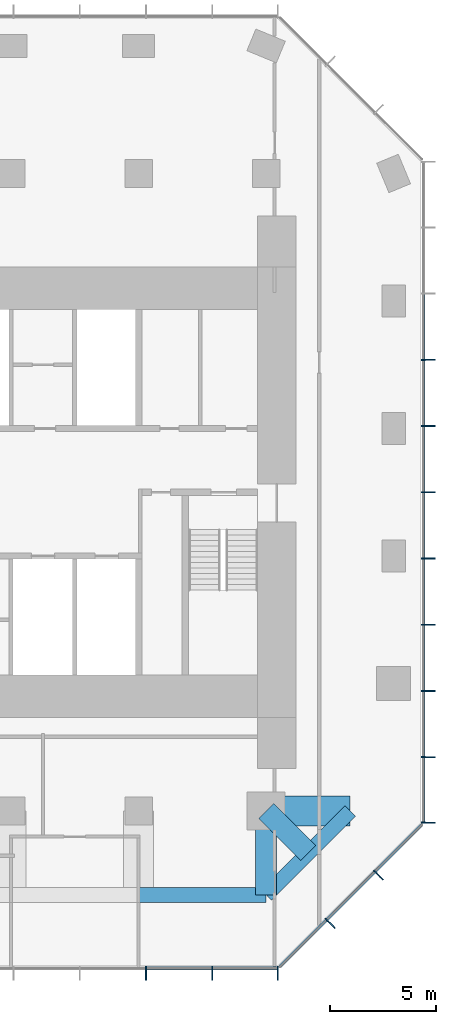
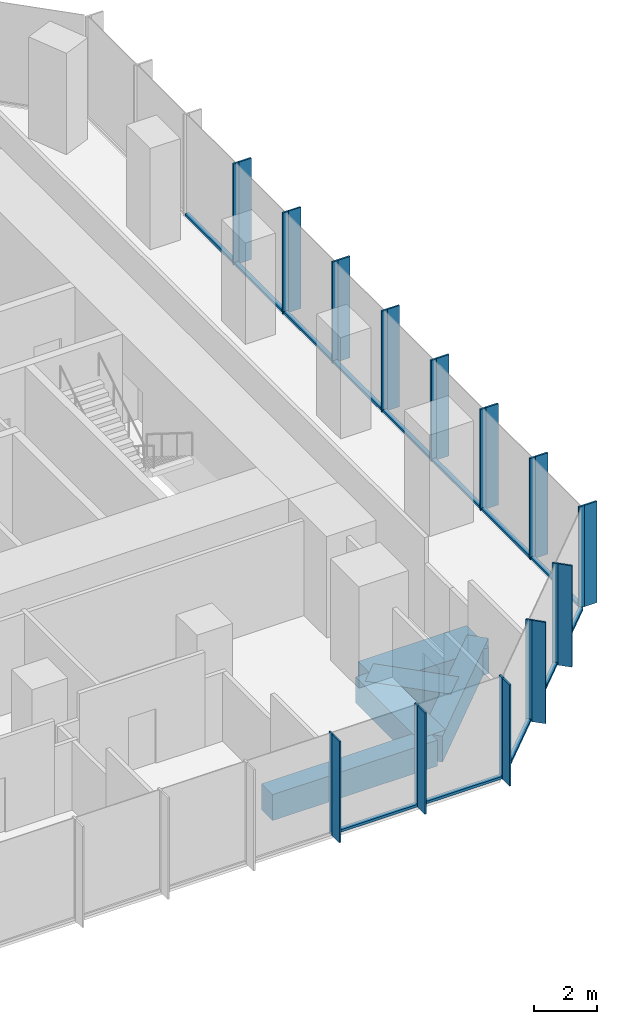
# One storey, part 4 of 11: 39 members, 5 beams, 3 elements without a shape of their own.
"""IFC4 building model written with IfcOpenShell, lengths in metres."""

import ifcopenshell
import ifcopenshell.guid

model = None  # the IFC model being written
_history = None  # IfcOwnerHistory: only IFC2X3 demands one
_inside = {}  # id of a spatial element -> (the spatial element, [elements in it])
_under = {}  # id of a project, library or spatial element -> (it, [spatial elements below it])
_declared = {}  # id of a project -> (the project, [libraries it declares])
_typed = {}  # id of a type object -> (the type object, [elements of that type])
_made_of = {}  # id of a material, layer set ... -> (it, [elements and type objects made of it])


def new_model(schema):
    """Start an empty IFC model of exactly this schema.

    Asked for "IFC4X3", IfcOpenShell would pick the latest addendum, in which some entities
    have other attributes; the version numbers below select the first issue.
    IFC2X3 requires an IfcOwnerHistory on every rooted entity: one is made here for all.
    """
    global model, _history
    if schema == "IFC4X3":
        model = ifcopenshell.file(schema_version=(4, 3, 0, 0))
    else:
        model = ifcopenshell.file(schema=schema)
    _inside.clear()
    _under.clear()
    _declared.clear()
    _typed.clear()
    _made_of.clear()
    _history = None
    if model.schema == "IFC2X3":
        org = make("IfcOrganization", Name="unknown")
        user = make(
            "IfcPersonAndOrganization",
            ThePerson=make("IfcPerson", FamilyName="unknown"),
            TheOrganization=org,
        )
        app = make(
            "IfcApplication",
            ApplicationDeveloper=org,
            Version="unknown",
            ApplicationFullName="unknown",
            ApplicationIdentifier="unknown",
        )
        _history = make(
            "IfcOwnerHistory",
            OwningUser=user,
            OwningApplication=app,
            ChangeAction="ADDED",
            CreationDate=0,
        )
    return model


def make(cls, **values):
    """One entity of the class cls with the attributes given. An attribute that is None is left unset."""
    return model.create_entity(
        cls, **{name: value for name, value in values.items() if value is not None}
    )


def rooted(cls, **values):
    """An entity with a GlobalId (a new one), such as an element, a storey or a relation."""
    return make(cls, GlobalId=ifcopenshell.guid.new(), OwnerHistory=_history, **values)


def si_unit(unit_type, name, prefix=None):
    """IfcSIUnit, for example si_unit("LENGTHUNIT", "METRE", prefix="MILLI")."""
    return make("IfcSIUnit", UnitType=unit_type, Prefix=prefix, Name=name)


def assignment(units):
    """IfcUnitAssignment: the units of a project."""
    return None if units is None else make("IfcUnitAssignment", Units=units)


def point(xyz):
    """IfcCartesianPoint."""
    return None if xyz is None else make("IfcCartesianPoint", Coordinates=xyz)


def direction(xyz):
    """IfcDirection."""
    return None if xyz is None else make("IfcDirection", DirectionRatios=xyz)


def frame(location, z_axis=None, x_axis=None):
    """IfcAxis2Placement3D, a coordinate frame: its origin and axes. An axis left out is left unset."""
    return make(
        "IfcAxis2Placement3D",
        Location=point(location),
        Axis=direction(z_axis),
        RefDirection=direction(x_axis),
    )


def frame_2d(location, x_axis=None):
    """IfcAxis2Placement2D, a coordinate frame in the plane: its origin and x axis."""
    return make(
        "IfcAxis2Placement2D", Location=point(location), RefDirection=direction(x_axis)
    )


def origin():
    """The frame at (0, 0, 0) with its axes left unset."""
    return frame((0.0, 0.0, 0.0))


def origin_2d():
    """The frame at (0, 0) in the plane with its x axis left unset."""
    return frame_2d((0.0, 0.0))


def place(relative_to, where):
    """IfcLocalPlacement: puts the frame where relative to a parent placement (None: the world)."""
    return make(
        "IfcLocalPlacement", PlacementRelTo=relative_to, RelativePlacement=where
    )


def context(
    kind, dimensions, precision=None, world=None, true_north=None, identifier=None
):
    """IfcGeometricRepresentationContext, for example the 3D "Model" context."""
    return make(
        "IfcGeometricRepresentationContext",
        ContextIdentifier=identifier,
        ContextType=kind,
        CoordinateSpaceDimension=dimensions,
        Precision=precision,
        WorldCoordinateSystem=world,
        TrueNorth=true_north,
    )


def subcontext(parent, identifier, kind, view, scale=None):
    """IfcGeometricRepresentationSubContext, for example "Body" below "Model"."""
    return make(
        "IfcGeometricRepresentationSubContext",
        ContextIdentifier=identifier,
        ContextType=kind,
        ParentContext=parent,
        TargetScale=scale,
        TargetView=view,
    )


def project(units=None, contexts=None):
    """IfcProject with its units and contexts."""
    return rooted(
        "IfcProject",
        Name="project",
        RepresentationContexts=contexts,
        UnitsInContext=assignment(units),
    )


def spatial(cls, under=None, at=None, **own):
    """A site, building, storey or space (cls), placed at a placement, below another one or the project."""
    s = rooted(cls, ObjectPlacement=at, **own)
    if under is not None:
        _under.setdefault(under.id(), (under, []))[1].append(s)
    return s


def profile(cls, at=None, kind="AREA", **sizes):
    """A parametric profile (cls). Its sizes go by their IFC names, for example OverallWidth=200.0."""
    return make(cls, ProfileType=kind, Position=at, **sizes)


def rectangle(**sizes):
    """IfcRectangleProfileDef."""
    return profile("IfcRectangleProfileDef", **sizes)


def extrude(swept, where, along, depth):
    """IfcExtrudedAreaSolid: the profile swept, set in the frame where, extruded along a direction by depth."""
    return make(
        "IfcExtrudedAreaSolid",
        SweptArea=swept,
        Position=where,
        ExtrudedDirection=direction(along),
        Depth=depth,
    )


def shape(context_of_items, identifier, shape_type, items):
    """IfcShapeRepresentation: the items that make up one representation, for example the "Body"."""
    return make(
        "IfcShapeRepresentation",
        ContextOfItems=context_of_items,
        RepresentationIdentifier=identifier,
        RepresentationType=shape_type,
        Items=items,
    )


def material(Name=None, Category=None):
    """IfcMaterial."""
    return make("IfcMaterial", Name=Name, Category=Category)


def layer(
    of_material, thickness, ventilated=None, Name=None, Category=None, Priority=None
):
    """IfcMaterialLayer: one layer of a wall or slab, of a material (None: an air gap)."""
    return make(
        "IfcMaterialLayer",
        Material=of_material,
        LayerThickness=thickness,
        IsVentilated=ventilated,
        Name=Name,
        Category=Category,
        Priority=Priority,
    )


def layer_set(layers, Name=None):
    """IfcMaterialLayerSet."""
    return make("IfcMaterialLayerSet", MaterialLayers=layers, LayerSetName=Name)


def material_profile(
    of_material, cross_section, Name=None, Category=None, Priority=None
):
    """IfcMaterialProfile: a cross section and its material."""
    return make(
        "IfcMaterialProfile",
        Name=Name,
        Material=of_material,
        Profile=cross_section,
        Priority=Priority,
        Category=Category,
    )


def profile_set(profiles, Name=None, composite=None):
    """IfcMaterialProfileSet."""
    return make(
        "IfcMaterialProfileSet",
        Name=Name,
        MaterialProfiles=profiles,
        CompositeProfile=composite,
    )


def made_of(thing, what):
    """Note that an element or type object is made of a material, layer set ...; save() writes the relation."""
    if what is not None:
        _made_of.setdefault(what.id(), (what, []))[1].append(thing)
    return thing


def type_object(cls, material=None, **own):
    """A type object (cls), such as IfcWallType, which elements share."""
    return made_of(rooted(cls, **own), material)


def element(
    cls,
    number,
    at=None,
    inside=None,
    cuts=None,
    type_object=None,
    material=None,
    context=None,
    identifier="Body",
    shape_type=None,
    held_by="IfcProductDefinitionShape",
    body=None,
    shapes=None,
    **own,
):
    """One element of the class cls, such as IfcWall. Its Tag is "e" and its number.

    at: its placement. inside: the storey or other place that contains it. cuts: it is an
    opening in that element (IfcRelVoidsElement). A single representation is given by context,
    identifier, shape_type and body (its items); several are given by shapes. held_by: the class
    of the entity that holds the representations. save() writes the other relations.
    """
    e = rooted(cls, Tag="e%d" % number, ObjectPlacement=at, **own)
    if body is not None:
        shapes = [shape(context, identifier, shape_type, body)]
    if shapes is not None:
        e.Representation = make(held_by, Representations=shapes)
    if inside is not None:
        _inside.setdefault(inside.id(), (inside, []))[1].append(e)
    if cuts is not None:
        rooted(
            "IfcRelVoidsElement", RelatingBuildingElement=cuts, RelatedOpeningElement=e
        )
    if type_object is not None:
        _typed.setdefault(type_object.id(), (type_object, []))[1].append(e)
    return made_of(e, material)


def aggregate(whole, parts):
    """IfcRelAggregates: a whole, such as a stair, and the parts it consists of."""
    return rooted("IfcRelAggregates", RelatingObject=whole, RelatedObjects=parts)


def save(model, path):
    """Write the relations noted so far, then the file.

    IfcRelAggregates (storeys below a building ...), IfcRelContainedInSpatialStructure (elements
    in a storey), IfcRelDefinesByType, IfcRelAssociatesMaterial and IfcRelDeclares: one each for
    every whole, place, type object, material and project.
    """
    for whole, parts in _under.values():
        aggregate(whole, parts)
    for where, things in _inside.values():
        rooted(
            "IfcRelContainedInSpatialStructure",
            RelatedElements=things,
            RelatingStructure=where,
        )
    for kind, things in _typed.values():
        rooted("IfcRelDefinesByType", RelatedObjects=things, RelatingType=kind)
    for what, things in _made_of.values():
        rooted("IfcRelAssociatesMaterial", RelatedObjects=things, RelatingMaterial=what)
    for by, libraries in _declared.values():
        rooted("IfcRelDeclares", RelatingContext=by, RelatedDefinitions=libraries)
    model.write(path)


model = new_model("IFC4")

# Units and contexts
model_context = context("Model", 3, precision=1e-05, world=origin(), true_north=direction((0.0, 1.0)))
body_context = subcontext(model_context, "Body", "Model", "MODEL_VIEW")
ifc_project = project(units=[si_unit("LENGTHUNIT", "METRE"), si_unit("AREAUNIT", "SQUARE_METRE"), si_unit("VOLUMEUNIT", "CUBIC_METRE"), si_unit("PLANEANGLEUNIT", "RADIAN"), si_unit("MASSUNIT", "GRAM", prefix="KILO")], contexts=[model_context])

# Site, building, storey
site_placement = place(None, origin())
site = spatial("IfcSite", under=ifc_project, at=site_placement, CompositionType="ELEMENT")
building_placement = place(site_placement, origin())
building = spatial("IfcBuilding", under=site, at=building_placement, Name="Highveld Stack Headquarters", CompositionType="ELEMENT")
storey_placement = place(building_placement, frame((0.0, 0.0, 227.89990234375)))
storey = spatial("IfcBuildingStorey", under=building, at=storey_placement, Name="L56", CompositionType="ELEMENT", Elevation=227.89990234375)

# Beams
ifc_material_1 = material(Name="Concrete C60/75", Category="concrete")
ifc_material_profile_1 = material_profile(ifc_material_1, rectangle(XDim=1.0, YDim=1.0, at=origin_2d()), Name="RC 1000x1000")
ifc_profile_set_1 = profile_set([ifc_material_profile_1], Name="Concrete C60/75")
beam_type_1 = type_object("IfcBeamType", Name="CANTILEVER RIB RC 1000x1000", PredefinedType="USERDEFINED", material=ifc_profile_set_1)
beam_1_placement = place(storey_placement, frame((18.0, -12.0, -0.75), z_axis=(0.0, -1.0, 0.0), x_axis=(1.0, 0.0, 0.0)))
element("IfcBeam", 1, at=beam_1_placement, inside=storey, type_object=beam_type_1, Name="Cantilever rib 9/C L56", ObjectType="CANTILEVER RIB", PredefinedType="USERDEFINED", context=body_context, shape_type="SweptSolid", body=[
    extrude(rectangle(XDim=1.0, YDim=1.0, at=origin_2d()), origin(), (0.0, 0.0, 1.0), 3.949951171875),
])
beam_2_placement = place(storey_placement, frame((18.0, -12.0, -0.75), z_axis=(0.707106781187, -0.707106781187, 0.0), x_axis=(0.707106781187, 0.707106781187, 0.0)))
element("IfcBeam", 2, at=beam_2_placement, inside=storey, type_object=beam_type_1, Name="Cantilever rib 9/C L56", ObjectType="CANTILEVER RIB", PredefinedType="USERDEFINED", context=body_context, shape_type="SweptSolid", body=[
    extrude(rectangle(XDim=1.0, YDim=1.0, at=origin_2d()), origin(), (0.0, 0.0, 1.0), 2.793212890625),
])
ifc_material_2 = material(Name="Concrete C60/75", Category="concrete")
ifc_material_profile_2 = material_profile(ifc_material_2, rectangle(XDim=1.39990234375, YDim=1.0, at=origin_2d()), Name="RC 1400x1000")
ifc_profile_set_2 = profile_set([ifc_material_profile_2], Name="Concrete C60/75")
beam_type_2 = type_object("IfcBeamType", Name="CANTILEVER RIB RC 1400x1000", PredefinedType="USERDEFINED", material=ifc_profile_set_2)
beam_3_placement = place(storey_placement, frame((18.0, -12.0, -0.75), z_axis=(1.0, 0.0, 0.0), x_axis=(0.0, 1.0, 0.0)))
element("IfcBeam", 3, at=beam_3_placement, inside=storey, type_object=beam_type_2, Name="Cantilever rib 9/C L56", ObjectType="CANTILEVER RIB", PredefinedType="USERDEFINED", context=body_context, shape_type="SweptSolid", body=[
    extrude(rectangle(XDim=1.39990234375, YDim=1.0, at=origin_2d()), origin(), (0.0, 0.0, 1.0), 3.949951171875),
])

# Curtain wall, members
ifc_material_3 = material(Name="Aluminium bronze anodised", Category="aluminium")
ifc_layer_1 = layer(ifc_material_3, 0.199951171875)
ifc_layer_set_1 = layer_set([ifc_layer_1], Name="Aluminium bronze anodised")
curtain_wall_type_1 = type_object("IfcCurtainWallType", Name="CW1 TOWER UNITISED CURTAIN WALL", PredefinedType="NOTDEFINED", material=ifc_layer_set_1)
curtain_wall_1_placement = place(storey_placement, origin())
curtain_wall_1 = element("IfcCurtainWall", 4, at=curtain_wall_1_placement, inside=storey, type_object=curtain_wall_type_1, Name="Curtain wall CW1 L56 S", PredefinedType="NOTDEFINED")
ifc_material_4 = material(Name="Aluminium bronze anodised", Category="aluminium")
ifc_material_profile_3 = material_profile(ifc_material_4, rectangle(XDim=0.449951171875, YDim=0.06005859375, at=origin_2d()), Name="FIN 450x60")
ifc_profile_set_3 = profile_set([ifc_material_profile_3], Name="Aluminium bronze anodised")
member_type_1 = type_object("IfcMemberType", Name="CW1 BRONZE FIN 450x60", PredefinedType="USERDEFINED", material=ifc_profile_set_3)
member_1_placement = place(storey_placement, frame((12.347900390625, -19.72509765625, 0.0), z_axis=(0.0, 0.0, 1.0), x_axis=(0.0, 1.0, 0.0)))
member_1 = element("IfcMember", 5, at=member_1_placement, type_object=member_type_1, Name="CW1 fin L56 9", ObjectType="FIN", PredefinedType="USERDEFINED", context=body_context, shape_type="SweptSolid", body=[
    extrude(rectangle(XDim=0.449951171875, YDim=0.06005859375, at=origin_2d()), origin(), (0.0, 0.0, 1.0), 3.900146484375),
])
member_2_placement = place(storey_placement, frame((15.4638671875, -19.72509765625, 0.0), z_axis=(0.0, 0.0, 1.0), x_axis=(0.0, 1.0, 0.0)))
member_2 = element("IfcMember", 6, at=member_2_placement, type_object=member_type_1, Name="CW1 fin L56 10", ObjectType="FIN", PredefinedType="USERDEFINED", context=body_context, shape_type="SweptSolid", body=[
    extrude(rectangle(XDim=0.449951171875, YDim=0.06005859375, at=origin_2d()), origin(), (0.0, 0.0, 1.0), 3.900146484375),
])
member_3_placement = place(storey_placement, frame((18.54736328125, -19.72509765625, 0.0), z_axis=(0.0, 0.0, 1.0), x_axis=(0.0, 1.0, 0.0)))
member_3 = element("IfcMember", 7, at=member_3_placement, type_object=member_type_1, Name="CW1 fin L56 11", ObjectType="FIN", PredefinedType="USERDEFINED", context=body_context, shape_type="SweptSolid", body=[
    extrude(rectangle(XDim=0.449951171875, YDim=0.06005859375, at=origin_2d()), origin(), (0.0, 0.0, 1.0), 3.900146484375),
])

curtain_wall_2_placement = place(storey_placement, origin())
curtain_wall_2 = element("IfcCurtainWall", 8, at=curtain_wall_2_placement, inside=storey, type_object=curtain_wall_type_1, Name="Curtain wall CW1 L56 E", PredefinedType="NOTDEFINED")
member_4_placement = place(storey_placement, frame((25.72509765625, -12.54736328125, 0.0), z_axis=(0.0, 0.0, 1.0), x_axis=(-1.0, 0.0, 0.0)))
member_4 = element("IfcMember", 9, at=member_4_placement, type_object=member_type_1, Name="CW1 fin L56 1", ObjectType="FIN", PredefinedType="USERDEFINED", context=body_context, shape_type="SweptSolid", body=[
    extrude(rectangle(XDim=0.449951171875, YDim=0.06005859375, at=origin_2d()), origin(), (0.0, 0.0, 1.0), 3.900146484375),
])
member_5_placement = place(storey_placement, frame((25.72509765625, -9.4638671875, 0.0), z_axis=(0.0, 0.0, 1.0), x_axis=(-1.0, 0.0, 0.0)))
member_5 = element("IfcMember", 10, at=member_5_placement, type_object=member_type_1, Name="CW1 fin L56 2", ObjectType="FIN", PredefinedType="USERDEFINED", context=body_context, shape_type="SweptSolid", body=[
    extrude(rectangle(XDim=0.449951171875, YDim=0.06005859375, at=origin_2d()), origin(), (0.0, 0.0, 1.0), 3.900146484375),
])
member_6_placement = place(storey_placement, frame((25.72509765625, -6.347900390625, 0.0), z_axis=(0.0, 0.0, 1.0), x_axis=(-1.0, 0.0, 0.0)))
member_6 = element("IfcMember", 11, at=member_6_placement, type_object=member_type_1, Name="CW1 fin L56 3", ObjectType="FIN", PredefinedType="USERDEFINED", context=body_context, shape_type="SweptSolid", body=[
    extrude(rectangle(XDim=0.449951171875, YDim=0.06005859375, at=origin_2d()), origin(), (0.0, 0.0, 1.0), 3.900146484375),
])
member_7_placement = place(storey_placement, frame((25.72509765625, -3.23193359375, 0.0), z_axis=(0.0, 0.0, 1.0), x_axis=(-1.0, 0.0, 0.0)))
member_7 = element("IfcMember", 12, at=member_7_placement, type_object=member_type_1, Name="CW1 fin L56 4", ObjectType="FIN", PredefinedType="USERDEFINED", context=body_context, shape_type="SweptSolid", body=[
    extrude(rectangle(XDim=0.449951171875, YDim=0.06005859375, at=origin_2d()), origin(), (0.0, 0.0, 1.0), 3.900146484375),
])
member_8_placement = place(storey_placement, frame((25.72509765625, -0.115966796875, 0.0), z_axis=(0.0, 0.0, 1.0), x_axis=(-1.0, 0.0, 0.0)))
member_8 = element("IfcMember", 13, at=member_8_placement, type_object=member_type_1, Name="CW1 fin L56 5", ObjectType="FIN", PredefinedType="USERDEFINED", context=body_context, shape_type="SweptSolid", body=[
    extrude(rectangle(XDim=0.449951171875, YDim=0.06005859375, at=origin_2d()), origin(), (0.0, 0.0, 1.0), 3.900146484375),
])
member_9_placement = place(storey_placement, frame((25.72509765625, 3.0, 0.0), z_axis=(0.0, 0.0, 1.0), x_axis=(-1.0, 0.0, 0.0)))
member_9 = element("IfcMember", 14, at=member_9_placement, type_object=member_type_1, Name="CW1 fin L56 6", ObjectType="FIN", PredefinedType="USERDEFINED", context=body_context, shape_type="SweptSolid", body=[
    extrude(rectangle(XDim=0.449951171875, YDim=0.06005859375, at=origin_2d()), origin(), (0.0, 0.0, 1.0), 3.900146484375),
])
member_10_placement = place(storey_placement, frame((25.72509765625, 6.115966796875, 0.0), z_axis=(0.0, 0.0, 1.0), x_axis=(-1.0, 0.0, 0.0)))
member_10 = element("IfcMember", 15, at=member_10_placement, type_object=member_type_1, Name="CW1 fin L56 7", ObjectType="FIN", PredefinedType="USERDEFINED", context=body_context, shape_type="SweptSolid", body=[
    extrude(rectangle(XDim=0.449951171875, YDim=0.06005859375, at=origin_2d()), origin(), (0.0, 0.0, 1.0), 3.900146484375),
])
member_11_placement = place(storey_placement, frame((25.72509765625, 9.23193359375, 0.0), z_axis=(0.0, 0.0, 1.0), x_axis=(-1.0, 0.0, 0.0)))
member_11 = element("IfcMember", 16, at=member_11_placement, type_object=member_type_1, Name="CW1 fin L56 8", ObjectType="FIN", PredefinedType="USERDEFINED", context=body_context, shape_type="SweptSolid", body=[
    extrude(rectangle(XDim=0.449951171875, YDim=0.06005859375, at=origin_2d()), origin(), (0.0, 0.0, 1.0), 3.900146484375),
])

# Member
ifc_material_5 = material(Name="Aluminium bronze anodised", Category="aluminium")
ifc_material_profile_4 = material_profile(ifc_material_5, rectangle(XDim=0.199951171875, YDim=0.06494140625, at=origin_2d()), Name="CW1 MULLION 65x200")
ifc_profile_set_4 = profile_set([ifc_material_profile_4], Name="Aluminium bronze anodised")
member_type_2 = type_object("IfcMemberType", Name="CW1 MULLION 65x200", PredefinedType="MULLION", material=ifc_profile_set_4)
member_12_placement = place(storey_placement, frame((12.347900390625, -19.39990234375, 0.0), z_axis=(0.0, 0.0, 1.0), x_axis=(0.0, 1.0, 0.0)))
member_12 = element("IfcMember", 17, at=member_12_placement, type_object=member_type_2, Name="CW1 mullion L56 9", PredefinedType="MULLION", context=body_context, shape_type="SweptSolid", body=[
    extrude(rectangle(XDim=0.199951171875, YDim=0.06494140625, at=origin_2d()), origin(), (0.0, 0.0, 1.0), 3.900146484375),
])

member_13_placement = place(storey_placement, frame((15.4638671875, -19.39990234375, 0.0), z_axis=(0.0, 0.0, 1.0), x_axis=(0.0, 1.0, 0.0)))
member_13 = element("IfcMember", 18, at=member_13_placement, type_object=member_type_2, Name="CW1 mullion L56 10", PredefinedType="MULLION", context=body_context, shape_type="SweptSolid", body=[
    extrude(rectangle(XDim=0.199951171875, YDim=0.06494140625, at=origin_2d()), origin(), (0.0, 0.0, 1.0), 3.900146484375),
])

member_14_placement = place(storey_placement, frame((18.54736328125, -19.39990234375, 0.0), z_axis=(0.0, 0.0, 1.0), x_axis=(0.0, 1.0, 0.0)))
member_14 = element("IfcMember", 19, at=member_14_placement, type_object=member_type_2, Name="CW1 mullion L56 11", PredefinedType="MULLION", context=body_context, shape_type="SweptSolid", body=[
    extrude(rectangle(XDim=0.199951171875, YDim=0.06494140625, at=origin_2d()), origin(), (0.0, 0.0, 1.0), 3.900146484375),
])

member_15_placement = place(storey_placement, frame((25.39990234375, -12.54736328125, 0.0), z_axis=(0.0, 0.0, 1.0), x_axis=(-1.0, 0.0, 0.0)))
member_15 = element("IfcMember", 20, at=member_15_placement, type_object=member_type_2, Name="CW1 mullion L56 1", PredefinedType="MULLION", context=body_context, shape_type="SweptSolid", body=[
    extrude(rectangle(XDim=0.199951171875, YDim=0.06494140625, at=origin_2d()), origin(), (0.0, 0.0, 1.0), 3.900146484375),
])

member_16_placement = place(storey_placement, frame((25.39990234375, -9.4638671875, 0.0), z_axis=(0.0, 0.0, 1.0), x_axis=(-1.0, 0.0, 0.0)))
member_16 = element("IfcMember", 21, at=member_16_placement, type_object=member_type_2, Name="CW1 mullion L56 2", PredefinedType="MULLION", context=body_context, shape_type="SweptSolid", body=[
    extrude(rectangle(XDim=0.199951171875, YDim=0.06494140625, at=origin_2d()), origin(), (0.0, 0.0, 1.0), 3.900146484375),
])

member_17_placement = place(storey_placement, frame((25.39990234375, -6.347900390625, 0.0), z_axis=(0.0, 0.0, 1.0), x_axis=(-1.0, 0.0, 0.0)))
member_17 = element("IfcMember", 22, at=member_17_placement, type_object=member_type_2, Name="CW1 mullion L56 3", PredefinedType="MULLION", context=body_context, shape_type="SweptSolid", body=[
    extrude(rectangle(XDim=0.199951171875, YDim=0.06494140625, at=origin_2d()), origin(), (0.0, 0.0, 1.0), 3.900146484375),
])

member_18_placement = place(storey_placement, frame((25.39990234375, -3.23193359375, 0.0), z_axis=(0.0, 0.0, 1.0), x_axis=(-1.0, 0.0, 0.0)))
member_18 = element("IfcMember", 23, at=member_18_placement, type_object=member_type_2, Name="CW1 mullion L56 4", PredefinedType="MULLION", context=body_context, shape_type="SweptSolid", body=[
    extrude(rectangle(XDim=0.199951171875, YDim=0.06494140625, at=origin_2d()), origin(), (0.0, 0.0, 1.0), 3.900146484375),
])

member_19_placement = place(storey_placement, frame((25.39990234375, -0.115966796875, 0.0), z_axis=(0.0, 0.0, 1.0), x_axis=(-1.0, 0.0, 0.0)))
member_19 = element("IfcMember", 24, at=member_19_placement, type_object=member_type_2, Name="CW1 mullion L56 5", PredefinedType="MULLION", context=body_context, shape_type="SweptSolid", body=[
    extrude(rectangle(XDim=0.199951171875, YDim=0.06494140625, at=origin_2d()), origin(), (0.0, 0.0, 1.0), 3.900146484375),
])

member_20_placement = place(storey_placement, frame((25.39990234375, 3.0, 0.0), z_axis=(0.0, 0.0, 1.0), x_axis=(-1.0, 0.0, 0.0)))
member_20 = element("IfcMember", 25, at=member_20_placement, type_object=member_type_2, Name="CW1 mullion L56 6", PredefinedType="MULLION", context=body_context, shape_type="SweptSolid", body=[
    extrude(rectangle(XDim=0.199951171875, YDim=0.06494140625, at=origin_2d()), origin(), (0.0, 0.0, 1.0), 3.900146484375),
])

member_21_placement = place(storey_placement, frame((25.39990234375, 6.115966796875, 0.0), z_axis=(0.0, 0.0, 1.0), x_axis=(-1.0, 0.0, 0.0)))
member_21 = element("IfcMember", 26, at=member_21_placement, type_object=member_type_2, Name="CW1 mullion L56 7", PredefinedType="MULLION", context=body_context, shape_type="SweptSolid", body=[
    extrude(rectangle(XDim=0.199951171875, YDim=0.06494140625, at=origin_2d()), origin(), (0.0, 0.0, 1.0), 3.900146484375),
])

member_22_placement = place(storey_placement, frame((25.39990234375, 9.23193359375, 0.0), z_axis=(0.0, 0.0, 1.0), x_axis=(-1.0, 0.0, 0.0)))
member_22 = element("IfcMember", 27, at=member_22_placement, type_object=member_type_2, Name="CW1 mullion L56 8", PredefinedType="MULLION", context=body_context, shape_type="SweptSolid", body=[
    extrude(rectangle(XDim=0.199951171875, YDim=0.06494140625, at=origin_2d()), origin(), (0.0, 0.0, 1.0), 3.900146484375),
])

ifc_material_6 = material(Name="Aluminium bronze anodised", Category="aluminium")
ifc_material_profile_5 = material_profile(ifc_material_6, rectangle(XDim=0.14990234375, YDim=0.10009765625, at=origin_2d()), Name="CW1 TRANSOM 150x100")
ifc_profile_set_5 = profile_set([ifc_material_profile_5], Name="Aluminium bronze anodised")
member_type_3 = type_object("IfcMemberType", Name="CW1 STACK TRANSOM 150x100", PredefinedType="USERDEFINED", material=ifc_profile_set_5)
member_23_placement = place(storey_placement, frame((12.38037109375, -19.39990234375, 0.050048828125), z_axis=(1.0, 0.0, 0.0), x_axis=(0.0, 1.0, 0.0)))
member_23 = element("IfcMember", 28, at=member_23_placement, type_object=member_type_3, Name="CW1 transom L56 9.1", ObjectType="TRANSOM", PredefinedType="USERDEFINED", context=body_context, shape_type="SweptSolid", body=[
    extrude(rectangle(XDim=0.14990234375, YDim=0.10009765625, at=origin_2d()), origin(), (0.0, 0.0, 1.0), 3.051025390625),
])

member_24_placement = place(storey_placement, frame((15.496337890625, -19.39990234375, 0.050048828125), z_axis=(1.0, 0.0, 0.0), x_axis=(0.0, 1.0, 0.0)))
member_24 = element("IfcMember", 29, at=member_24_placement, type_object=member_type_3, Name="CW1 transom L56 10.1", ObjectType="TRANSOM", PredefinedType="USERDEFINED", context=body_context, shape_type="SweptSolid", body=[
    extrude(rectangle(XDim=0.14990234375, YDim=0.10009765625, at=origin_2d()), origin(), (0.0, 0.0, 1.0), 3.0185546875),
])

aggregate(curtain_wall_1, [member_12, member_1, member_13, member_2, member_14, member_3, member_23, member_24])

member_25_placement = place(storey_placement, frame((25.39990234375, -12.514892578125, 0.050048828125), z_axis=(0.0, 1.0, 0.0), x_axis=(-1.0, 0.0, 0.0)))
member_25 = element("IfcMember", 30, at=member_25_placement, type_object=member_type_3, Name="CW1 transom L56 1.1", ObjectType="TRANSOM", PredefinedType="USERDEFINED", context=body_context, shape_type="SweptSolid", body=[
    extrude(rectangle(XDim=0.14990234375, YDim=0.10009765625, at=origin_2d()), origin(), (0.0, 0.0, 1.0), 3.0185546875),
])

member_26_placement = place(storey_placement, frame((25.39990234375, -9.431396484375, 0.050048828125), z_axis=(0.0, 1.0, 0.0), x_axis=(-1.0, 0.0, 0.0)))
member_26 = element("IfcMember", 31, at=member_26_placement, type_object=member_type_3, Name="CW1 transom L56 2.1", ObjectType="TRANSOM", PredefinedType="USERDEFINED", context=body_context, shape_type="SweptSolid", body=[
    extrude(rectangle(XDim=0.14990234375, YDim=0.10009765625, at=origin_2d()), origin(), (0.0, 0.0, 1.0), 3.051025390625),
])

member_27_placement = place(storey_placement, frame((25.39990234375, -6.3154296875, 0.050048828125), z_axis=(0.0, 1.0, 0.0), x_axis=(-1.0, 0.0, 0.0)))
member_27 = element("IfcMember", 32, at=member_27_placement, type_object=member_type_3, Name="CW1 transom L56 3.1", ObjectType="TRANSOM", PredefinedType="USERDEFINED", context=body_context, shape_type="SweptSolid", body=[
    extrude(rectangle(XDim=0.14990234375, YDim=0.10009765625, at=origin_2d()), origin(), (0.0, 0.0, 1.0), 3.051025390625),
])

member_28_placement = place(storey_placement, frame((25.39990234375, -3.199462890625, 0.050048828125), z_axis=(0.0, 1.0, 0.0), x_axis=(-1.0, 0.0, 0.0)))
member_28 = element("IfcMember", 33, at=member_28_placement, type_object=member_type_3, Name="CW1 transom L56 4.1", ObjectType="TRANSOM", PredefinedType="USERDEFINED", context=body_context, shape_type="SweptSolid", body=[
    extrude(rectangle(XDim=0.14990234375, YDim=0.10009765625, at=origin_2d()), origin(), (0.0, 0.0, 1.0), 3.051025390625),
])

member_29_placement = place(storey_placement, frame((25.39990234375, -0.08349609375, 0.050048828125), z_axis=(0.0, 1.0, 0.0), x_axis=(-1.0, 0.0, 0.0)))
member_29 = element("IfcMember", 34, at=member_29_placement, type_object=member_type_3, Name="CW1 transom L56 5.1", ObjectType="TRANSOM", PredefinedType="USERDEFINED", context=body_context, shape_type="SweptSolid", body=[
    extrude(rectangle(XDim=0.14990234375, YDim=0.10009765625, at=origin_2d()), origin(), (0.0, 0.0, 1.0), 3.051025390625),
])

member_30_placement = place(storey_placement, frame((25.39990234375, 3.032470703125, 0.050048828125), z_axis=(0.0, 1.0, 0.0), x_axis=(-1.0, 0.0, 0.0)))
member_30 = element("IfcMember", 35, at=member_30_placement, type_object=member_type_3, Name="CW1 transom L56 6.1", ObjectType="TRANSOM", PredefinedType="USERDEFINED", context=body_context, shape_type="SweptSolid", body=[
    extrude(rectangle(XDim=0.14990234375, YDim=0.10009765625, at=origin_2d()), origin(), (0.0, 0.0, 1.0), 3.051025390625),
])

member_31_placement = place(storey_placement, frame((25.39990234375, 6.1484375, 0.050048828125), z_axis=(0.0, 1.0, 0.0), x_axis=(-1.0, 0.0, 0.0)))
member_31 = element("IfcMember", 36, at=member_31_placement, type_object=member_type_3, Name="CW1 transom L56 7.1", ObjectType="TRANSOM", PredefinedType="USERDEFINED", context=body_context, shape_type="SweptSolid", body=[
    extrude(rectangle(XDim=0.14990234375, YDim=0.10009765625, at=origin_2d()), origin(), (0.0, 0.0, 1.0), 3.051025390625),
])

member_32_placement = place(storey_placement, frame((25.39990234375, 9.264404296875, 0.050048828125), z_axis=(0.0, 1.0, 0.0), x_axis=(-1.0, 0.0, 0.0)))
member_32 = element("IfcMember", 37, at=member_32_placement, type_object=member_type_3, Name="CW1 transom L56 8.1", ObjectType="TRANSOM", PredefinedType="USERDEFINED", context=body_context, shape_type="SweptSolid", body=[
    extrude(rectangle(XDim=0.14990234375, YDim=0.10009765625, at=origin_2d()), origin(), (0.0, 0.0, 1.0), 3.051025390625),
])

aggregate(curtain_wall_2, [member_15, member_4, member_16, member_5, member_17, member_6, member_18, member_7, member_19, member_8, member_20, member_9, member_21, member_10, member_22, member_11, member_25, member_26, member_27, member_28, member_29, member_30, member_31, member_32])

# Curtain wall, members
ifc_material_7 = material(Name="Aluminium bronze anodised", Category="aluminium")
ifc_layer_2 = layer(ifc_material_7, 0.199951171875)
ifc_layer_set_2 = layer_set([ifc_layer_2], Name="Aluminium bronze anodised")
curtain_wall_type_2 = type_object("IfcCurtainWallType", Name="CW2 TOWER CHAMFER UNITISED CURTAIN WALL", PredefinedType="NOTDEFINED", material=ifc_layer_set_2)
curtain_wall_3_placement = place(storey_placement, origin())
curtain_wall_3 = element("IfcCurtainWall", 38, at=curtain_wall_3_placement, inside=storey, type_object=curtain_wall_type_2, Name="Curtain wall CW2 L56 SE", PredefinedType="NOTDEFINED")
ifc_material_8 = material(Name="Aluminium bronze anodised", Category="aluminium")
ifc_material_profile_6 = material_profile(ifc_material_8, rectangle(XDim=0.449951171875, YDim=0.06005859375, at=origin_2d()), Name="FIN 450x60")
ifc_profile_set_6 = profile_set([ifc_material_profile_6], Name="Aluminium bronze anodised")
member_type_4 = type_object("IfcMemberType", Name="CW2 BRONZE FIN 450x60", PredefinedType="USERDEFINED", material=ifc_profile_set_6)
member_33_placement = place(storey_placement, frame((21.0830078125, -17.3564453125, 0.0), z_axis=(0.0, 0.0, 1.0), x_axis=(-0.707106781187, 0.707106781187, 0.0)))
member_33 = element("IfcMember", 39, at=member_33_placement, type_object=member_type_4, Name="CW2 fin L56 1", ObjectType="FIN", PredefinedType="USERDEFINED", context=body_context, shape_type="SweptSolid", body=[
    extrude(rectangle(XDim=0.449951171875, YDim=0.06005859375, at=origin_2d()), origin(), (0.0, 0.0, 1.0), 3.900146484375),
])
member_34_placement = place(storey_placement, frame((23.3564453125, -15.0830078125, 0.0), z_axis=(0.0, 0.0, 1.0), x_axis=(-0.707106781187, 0.707106781187, 0.0)))
member_34 = element("IfcMember", 40, at=member_34_placement, type_object=member_type_4, Name="CW2 fin L56 2", ObjectType="FIN", PredefinedType="USERDEFINED", context=body_context, shape_type="SweptSolid", body=[
    extrude(rectangle(XDim=0.449951171875, YDim=0.06005859375, at=origin_2d()), origin(), (0.0, 0.0, 1.0), 3.900146484375),
])
ifc_material_9 = material(Name="Aluminium bronze anodised", Category="aluminium")
ifc_material_profile_7 = material_profile(ifc_material_9, rectangle(XDim=0.199951171875, YDim=0.06494140625, at=origin_2d()), Name="CW2 MULLION 65x200")
ifc_profile_set_7 = profile_set([ifc_material_profile_7], Name="Aluminium bronze anodised")
member_type_5 = type_object("IfcMemberType", Name="CW2 MULLION 65x200", PredefinedType="MULLION", material=ifc_profile_set_7)
member_35_placement = place(storey_placement, frame((20.853271484375, -17.126708984375, 0.0), z_axis=(0.0, 0.0, 1.0), x_axis=(-0.707106781187, 0.707106781187, 0.0)))
member_35 = element("IfcMember", 41, at=member_35_placement, type_object=member_type_5, Name="CW2 mullion L56 1", PredefinedType="MULLION", context=body_context, shape_type="SweptSolid", body=[
    extrude(rectangle(XDim=0.199951171875, YDim=0.06494140625, at=origin_2d()), origin(), (0.0, 0.0, 1.0), 3.900146484375),
])
member_36_placement = place(storey_placement, frame((23.126708984375, -14.853271484375, 0.0), z_axis=(0.0, 0.0, 1.0), x_axis=(-0.707106781187, 0.707106781187, 0.0)))
member_36 = element("IfcMember", 42, at=member_36_placement, type_object=member_type_5, Name="CW2 mullion L56 2", PredefinedType="MULLION", context=body_context, shape_type="SweptSolid", body=[
    extrude(rectangle(XDim=0.199951171875, YDim=0.06494140625, at=origin_2d()), origin(), (0.0, 0.0, 1.0), 3.900146484375),
])
ifc_material_10 = material(Name="Aluminium bronze anodised", Category="aluminium")
ifc_material_profile_8 = material_profile(ifc_material_10, rectangle(XDim=0.14990234375, YDim=0.10009765625, at=origin_2d()), Name="CW2 TRANSOM 150x100")
ifc_profile_set_8 = profile_set([ifc_material_profile_8], Name="Aluminium bronze anodised")
member_type_6 = type_object("IfcMemberType", Name="CW2 STACK TRANSOM 150x100", PredefinedType="USERDEFINED", material=ifc_profile_set_8)
member_37_placement = place(storey_placement, frame((18.650634765625, -19.329345703125, 0.050048828125), z_axis=(0.707106781187, 0.707106781187, 0.0), x_axis=(-0.707106781187, 0.707106781187, 0.0)))
member_37 = element("IfcMember", 43, at=member_37_placement, type_object=member_type_6, Name="CW2 transom L56 1.1", ObjectType="TRANSOM", PredefinedType="USERDEFINED", context=body_context, shape_type="SweptSolid", body=[
    extrude(rectangle(XDim=0.14990234375, YDim=0.10009765625, at=origin_2d()), origin(), (0.0, 0.0, 1.0), 3.08251953125),
])
member_38_placement = place(storey_placement, frame((20.876220703125, -17.103759765625, 0.050048828125), z_axis=(0.707106781187, 0.707106781187, 0.0), x_axis=(-0.707106781187, 0.707106781187, 0.0)))
member_38 = element("IfcMember", 44, at=member_38_placement, type_object=member_type_6, Name="CW2 transom L56 2.1", ObjectType="TRANSOM", PredefinedType="USERDEFINED", context=body_context, shape_type="SweptSolid", body=[
    extrude(rectangle(XDim=0.14990234375, YDim=0.10009765625, at=origin_2d()), origin(), (0.0, 0.0, 1.0), 3.150146484375),
])
member_39_placement = place(storey_placement, frame((23.149658203125, -14.830322265625, 0.050048828125), z_axis=(0.707106781187, 0.707106781187, 0.0), x_axis=(-0.707106781187, 0.707106781187, 0.0)))
member_39 = element("IfcMember", 45, at=member_39_placement, type_object=member_type_6, Name="CW2 transom L56 3.1", ObjectType="TRANSOM", PredefinedType="USERDEFINED", context=body_context, shape_type="SweptSolid", body=[
    extrude(rectangle(XDim=0.14990234375, YDim=0.10009765625, at=origin_2d()), origin(), (0.0, 0.0, 1.0), 3.08251953125),
])
aggregate(curtain_wall_3, [member_35, member_33, member_36, member_34, member_37, member_38, member_39])

# Beams
ifc_material_11 = material(Name="Concrete C60/75", Category="concrete")
ifc_material_profile_9 = material_profile(ifc_material_11, rectangle(XDim=0.699951171875, YDim=1.0, at=origin_2d()), Name="RC 700x1000")
ifc_profile_set_9 = profile_set([ifc_material_profile_9], Name="Concrete C60/75")
beam_type_3 = type_object("IfcBeamType", Name="RIB TIP BEAM RC 700x1000", PredefinedType="SPANDREL", material=ifc_profile_set_9)
beam_4_placement = place(storey_placement, frame((12.0, -15.949951171875, -0.75), z_axis=(1.0, 0.0, 0.0), x_axis=(0.0, 1.0, 0.0)))
element("IfcBeam", 46, at=beam_4_placement, inside=storey, type_object=beam_type_3, Name="Rib tip beam 8/C to 9/C L56", PredefinedType="SPANDREL", context=body_context, shape_type="SweptSolid", body=[
    extrude(rectangle(XDim=0.699951171875, YDim=1.0, at=origin_2d()), origin(), (0.0, 0.0, 1.0), 6.0),
])
beam_5_placement = place(storey_placement, frame((21.949951171875, -12.0, -0.75), z_axis=(-0.707106781187, -0.707106781187, 0.0), x_axis=(0.707106781187, -0.707106781187, 0.0)))
element("IfcBeam", 47, at=beam_5_placement, inside=storey, type_object=beam_type_3, Name="Rib tip beam 9/C corner L56", PredefinedType="SPANDREL", context=body_context, shape_type="SweptSolid", body=[
    extrude(rectangle(XDim=0.699951171875, YDim=1.0, at=origin_2d()), origin(), (0.0, 0.0, 1.0), 5.586181640625),
])

save(model, "model.ifc")
